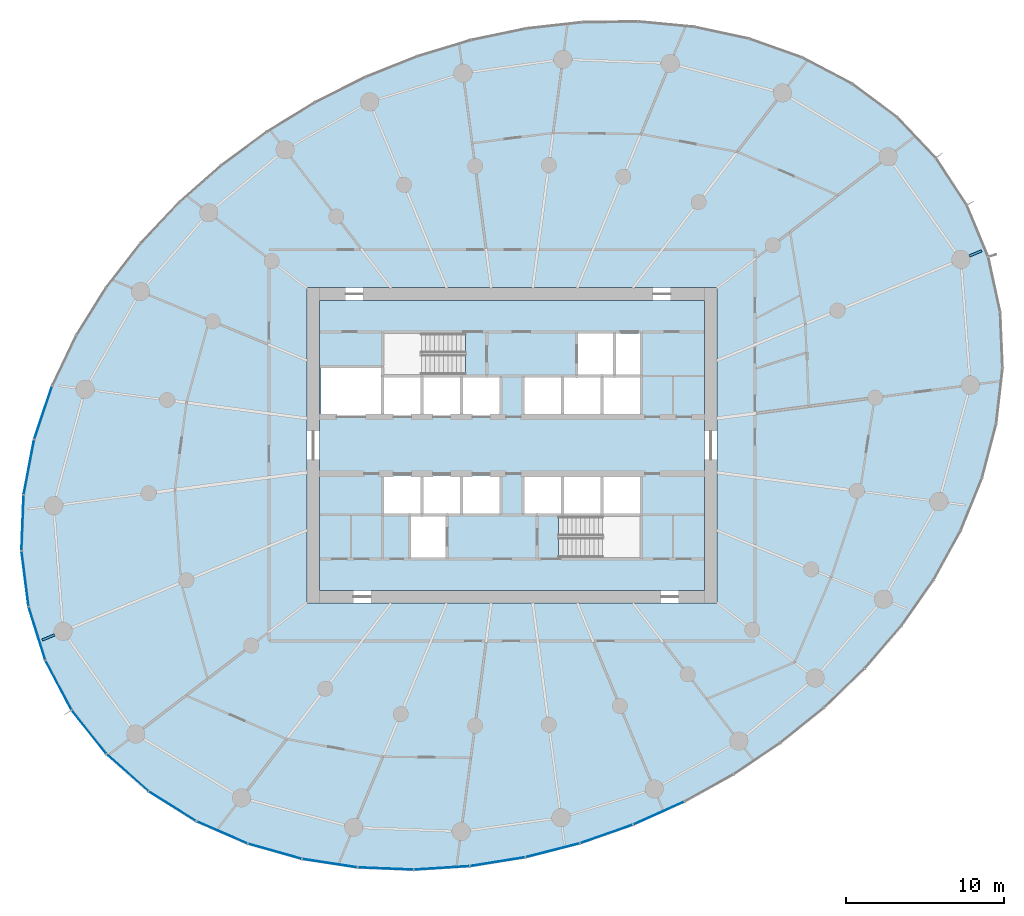
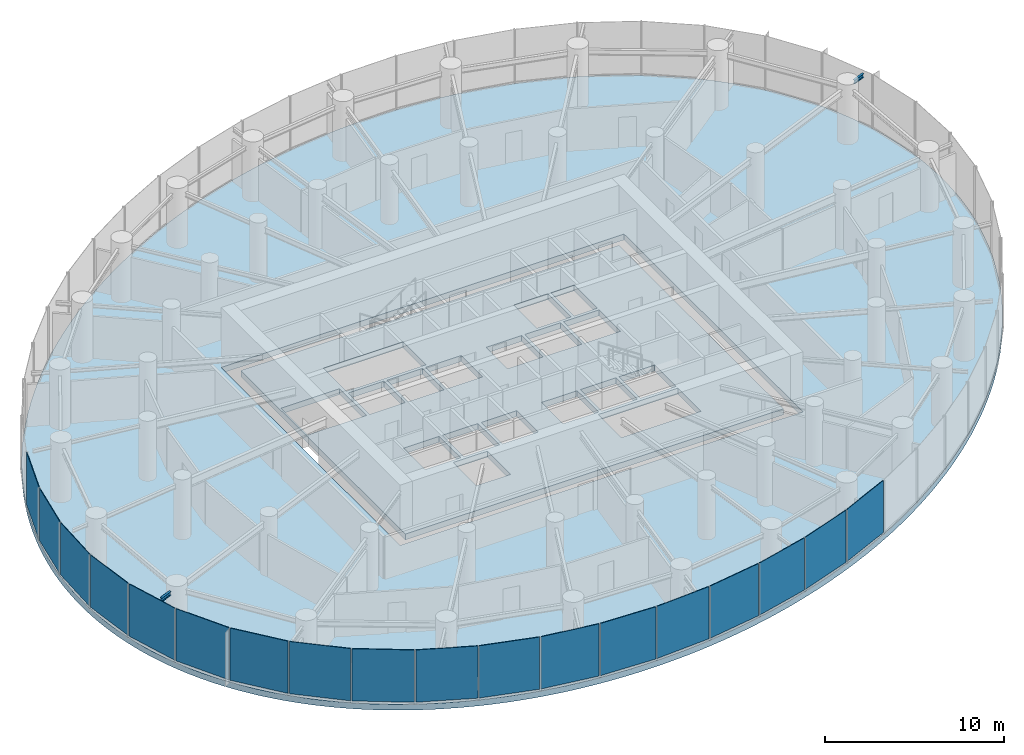
# One storey, part 8 of 17: 18 plates, 2 beams, 2 slabs, 4 elements without a shape of their own.
"""IFC4 building model written with IfcOpenShell, lengths in metres."""

from ifc_helpers import new_model, si_unit, direction, frame, origin, origin_2d, place, context, subcontext, project, spatial, line, indexed_curve, rectangle, i_section, outline, extrude, source, transform, mapped, material, layer, layer_set, material_profile, profile_set, type_object, element, aggregate, save


model = new_model("IFC4")

# Units and contexts
model_context = context("Model", 3, precision=1e-05, world=origin(), true_north=direction((0.0, 1.0)))
body_context = subcontext(model_context, "Body", "Model", "MODEL_VIEW")
ifc_project = project(units=[si_unit("LENGTHUNIT", "METRE"), si_unit("AREAUNIT", "SQUARE_METRE"), si_unit("VOLUMEUNIT", "CUBIC_METRE"), si_unit("PLANEANGLEUNIT", "RADIAN"), si_unit("MASSUNIT", "GRAM", prefix="KILO")], contexts=[model_context])

# Site, building, storey
site_placement = place(None, origin())
site = spatial("IfcSite", under=ifc_project, at=site_placement, CompositionType="ELEMENT")
building_placement = place(site_placement, origin())
building = spatial("IfcBuilding", under=site, at=building_placement, Name="Spindrift Exchange Tower", CompositionType="ELEMENT")
storey_placement = place(building_placement, frame((0.0, 0.0, 112.60009765625)))
storey = spatial("IfcBuildingStorey", under=building, at=storey_placement, Name="L26", CompositionType="ELEMENT", Elevation=112.60009765625)

# Beams
ifc_material_1 = material(Name="Steel Grade 300", Category="steel")
ifc_material_profile = material_profile(ifc_material_1, i_section(OverallWidth=0.14599609375, OverallDepth=0.251953125, WebThickness=0.006103515625, FlangeThickness=0.008544921875, FilletRadius=0.011962890625, at=origin_2d()), Name="250UB31.4")
ifc_profile_set = profile_set([ifc_material_profile], Name="Steel Grade 300")
beam_type = type_object("IfcBeamType", Name="Cantilever Beam 250UB31.4 Steel Grade 300", PredefinedType="BEAM", material=ifc_profile_set)
shared_shape_1 = source(origin(), body_context, "Body", "SweptSolid", [
    extrude(i_section(OverallWidth=0.14599609375, OverallDepth=0.251953125, WebThickness=0.006103515625, FlangeThickness=0.008544921875, FilletRadius=0.011962890625, at=origin_2d()), origin(), (0.0, 0.0, 1.0), 0.844482421875),
])
for number, where, z_axis, x_axis, name in (
    (1, (80.9912109375, 60.008544921875, 3.573974609375), (0.923861804277, 0.382726229306, 0.0), (-0.382726229306, 0.923861804277, 0.0), "L26 cantilever beam R02T"),
    (2, (23.0087890625, 35.991455078125, 3.573974609375), (-0.923861804277, -0.382726229306, 0.0), (0.382726229306, -0.923861804277, 0.0), "L26 cantilever beam R14T"),
):
    element("IfcBeam", number, at=place(storey_placement, frame(where, z_axis=z_axis, x_axis=x_axis)), inside=storey, type_object=beam_type, Name=name, PredefinedType="BEAM", context=body_context, shape_type="MappedRepresentation", body=[
        mapped(shared_shape_1, transform((0.0, 0.0, 0.0), scale=1.0)),
    ])

# Slabs
ifc_material_2 = material(Name="Concrete 50 MPa", Category="concrete")
ifc_layer_1 = layer(ifc_material_2, 0.39990234375)
ifc_layer_set_1 = layer_set([ifc_layer_1], Name="RC Floor Slab 400 Concrete 50 MPa")
slab_type_1 = type_object("IfcSlabType", Name="RC Floor Slab 400 Concrete 50 MPa", PredefinedType="FLOOR", material=ifc_layer_set_1)
slab_1_placement = place(storey_placement, frame((0.0, 0.0, -0.400146484375)))
element("IfcSlab", 3, at=slab_1_placement, inside=storey, type_object=slab_type_1, Name="Floor slab L26", PredefinedType="FLOOR", context=body_context, shape_type="SweptSolid", body=[
    extrude(outline(indexed_curve([(80.818359375, 63.23486328125), (80.576416015625, 63.6787109375), (80.32275390625, 64.11572265625), (80.057861328125, 64.546142578125), (79.78173828125, 64.969482421875), (79.49462890625, 65.385498046875), (79.197021484375, 65.7939453125), (78.888916015625, 66.194580078125), (78.570556640625, 66.587158203125), (78.2421875, 66.971435546875), (77.904296875, 67.347412109375), (77.55712890625, 67.714599609375), (77.200927734375, 68.0732421875), (76.8359375, 68.4228515625), (76.46240234375, 68.76318359375), (76.080810546875, 69.094482421875), (75.69140625, 69.416748046875), (75.294189453125, 69.7294921875), (74.889892578125, 70.032958984375), (74.478759765625, 70.326904296875), (74.06103515625, 70.611083984375), (73.636962890625, 70.885986328125), (73.206787109375, 71.1513671875), (72.770751953125, 71.406982421875), (72.329345703125, 71.6533203125), (71.8828125, 71.89013671875), (71.431396484375, 72.117431640625), (70.975341796875, 72.335205078125), (70.514892578125, 72.54345703125), (69.581787109375, 72.93212890625), (68.634033203125, 73.28369140625), (68.1552734375, 73.44580078125), (67.189208984375, 73.74267578125), (66.7021484375, 73.877685546875), (65.72119140625, 74.12158203125), (65.2275390625, 74.230712890625), (64.235107421875, 74.4228515625), (63.73681640625, 74.506103515625), (62.73583984375, 74.648193359375), (62.23388671875, 74.70703125), (61.2275390625, 74.800537109375), (60.218505859375, 74.86279296875), (59.71337890625, 74.882080078125), (59.208251953125, 74.89404296875), (58.197509765625, 74.89501953125), (57.692138671875, 74.884521484375), (56.68212890625, 74.841796875), (56.177734375, 74.809814453125), (55.17041015625, 74.724365234375), (54.66796875, 74.67138671875), (53.6650390625, 74.544677734375), (53.1650390625, 74.47119140625), (52.16796875, 74.3046875), (51.671142578125, 74.211669921875), (50.681396484375, 74.006103515625), (50.188720703125, 73.893798828125), (49.20751953125, 73.650634765625), (48.71923828125, 73.519775390625), (47.748046875, 73.23974609375), (46.783935546875, 72.935791015625), (46.3046875, 72.775146484375), (45.82763671875, 72.6083984375), (44.879638671875, 72.2578125), (44.40869140625, 72.07373046875), (43.47412109375, 71.68896484375), (42.548828125, 71.28173828125), (41.6337890625, 70.8525390625), (40.72900390625, 70.401611328125), (40.281005859375, 70.16796875), (39.392822265625, 69.684814453125), (38.5166015625, 69.180908203125), (37.65283203125, 68.656005859375), (37.2255859375, 68.3857421875), (36.38134765625, 67.830078125), (35.964111328125, 67.544677734375), (35.140380859375, 66.95849609375), (34.734130859375, 66.658203125), (34.331298828125, 66.352783203125), (33.537353515625, 65.727294921875), (33.14599609375, 65.4072265625), (32.3759765625, 64.752685546875), (31.622314453125, 64.078857421875), (31.252197265625, 63.734619140625), (30.52490234375, 63.03271484375), (30.168212890625, 62.674560546875), (29.81640625, 62.311767578125), (29.126953125, 61.572509765625), (28.45751953125, 60.815185546875), (28.130615234375, 60.4296875), (27.492919921875, 59.6455078125), (27.182373046875, 59.24658203125), (26.877197265625, 58.843505859375), (26.284912109375, 58.0244140625), (25.716552734375, 57.188720703125), (25.44189453125, 56.764404296875), (24.91162109375, 55.90380859375), (24.65673828125, 55.46728515625), (24.167236328125, 54.5830078125), (23.93310546875, 54.135009765625), (23.48681640625, 53.22802734375), (23.275146484375, 52.76904296875), (23.071044921875, 52.306640625), (22.68701171875, 51.37158203125), (22.336181640625, 50.423583984375), (22.173583984375, 49.945068359375), (21.875, 48.9794921875), (21.7392578125, 48.49267578125), (21.49609375, 47.511474609375), (21.388916015625, 47.017578125), (21.291748046875, 46.521484375), (21.20458984375, 46.023681640625), (21.127685546875, 45.524169921875), (21.061279296875, 45.023193359375), (21.00537109375, 44.520751953125), (20.96044921875, 44.017333984375), (20.92626953125, 43.51318359375), (20.9033203125, 43.00830078125), (20.8916015625, 42.5029296875), (20.891357421875, 41.99755859375), (20.902587890625, 41.4921875), (20.925537109375, 40.9873046875), (20.96044921875, 40.483154296875), (21.00732421875, 39.97998046875), (21.066162109375, 39.477783203125), (21.13720703125, 38.9775390625), (21.220703125, 38.47900390625), (21.316162109375, 37.982666015625), (21.42431640625, 37.489013671875), (21.54443359375, 36.998046875), (21.67724609375, 36.510498046875), (21.822509765625, 36.0263671875), (21.97998046875, 35.546142578125), (22.14990234375, 35.070068359375), (22.33203125, 34.5986328125), (22.5263671875, 34.132080078125), (22.73291015625, 33.670654296875), (22.951416015625, 33.215087890625), (23.181640625, 32.76513671875), (23.423583984375, 32.3212890625), (23.67724609375, 31.88427734375), (23.942138671875, 31.453857421875), (24.21826171875, 31.030517578125), (24.50537109375, 30.614501953125), (24.802978515625, 30.2060546875), (25.111083984375, 29.805419921875), (25.429443359375, 29.412841796875), (25.7578125, 29.028564453125), (26.095703125, 28.652587890625), (26.44287109375, 28.285400390625), (26.799072265625, 27.9267578125), (27.1640625, 27.5771484375), (27.53759765625, 27.23681640625), (27.919189453125, 26.905517578125), (28.30859375, 26.583251953125), (28.705810546875, 26.2705078125), (29.110107421875, 25.967041015625), (29.521240234375, 25.673095703125), (29.93896484375, 25.388916015625), (30.363037109375, 25.114013671875), (30.793212890625, 24.8486328125), (31.229248046875, 24.593017578125), (31.670654296875, 24.3466796875), (32.1171875, 24.10986328125), (32.568603515625, 23.882568359375), (33.024658203125, 23.664794921875), (33.485107421875, 23.45654296875), (34.418212890625, 23.06787109375), (35.365966796875, 22.71630859375), (35.8447265625, 22.55419921875), (36.810791015625, 22.25732421875), (37.2978515625, 22.122314453125), (38.27880859375, 21.87841796875), (38.7724609375, 21.769287109375), (39.764892578125, 21.5771484375), (40.26318359375, 21.493896484375), (41.26416015625, 21.351806640625), (41.76611328125, 21.29296875), (42.7724609375, 21.199462890625), (43.781494140625, 21.13720703125), (44.28662109375, 21.117919921875), (44.791748046875, 21.10595703125), (45.802490234375, 21.10498046875), (46.307861328125, 21.115478515625), (47.31787109375, 21.158203125), (47.822265625, 21.190185546875), (48.82958984375, 21.275634765625), (49.33203125, 21.32861328125), (50.3349609375, 21.455322265625), (50.8349609375, 21.52880859375), (51.83203125, 21.6953125), (52.328857421875, 21.788330078125), (53.318603515625, 21.993896484375), (53.811279296875, 22.106201171875), (54.79248046875, 22.349365234375), (55.28076171875, 22.480224609375), (56.251953125, 22.76025390625), (57.216064453125, 23.064208984375), (57.6953125, 23.224853515625), (58.17236328125, 23.3916015625), (59.120361328125, 23.7421875), (59.59130859375, 23.92626953125), (60.52587890625, 24.31103515625), (61.451171875, 24.71826171875), (62.3662109375, 25.1474609375), (63.27099609375, 25.598388671875), (63.718994140625, 25.83203125), (64.607177734375, 26.315185546875), (65.4833984375, 26.819091796875), (66.34716796875, 27.343994140625), (66.7744140625, 27.6142578125), (67.61865234375, 28.169921875), (68.035888671875, 28.455322265625), (68.859619140625, 29.04150390625), (69.265869140625, 29.341796875), (69.668701171875, 29.647216796875), (70.462646484375, 30.272705078125), (70.85400390625, 30.5927734375), (71.6240234375, 31.247314453125), (72.377685546875, 31.921142578125), (72.747802734375, 32.265380859375), (73.47509765625, 32.96728515625), (73.831787109375, 33.325439453125), (74.18359375, 33.688232421875), (74.873046875, 34.427490234375), (75.54248046875, 35.184814453125), (75.869384765625, 35.5703125), (76.507080078125, 36.3544921875), (76.817626953125, 36.75341796875), (77.122802734375, 37.156494140625), (77.715087890625, 37.9755859375), (78.283447265625, 38.811279296875), (78.55810546875, 39.235595703125), (79.08837890625, 40.09619140625), (79.34326171875, 40.53271484375), (79.832763671875, 41.4169921875), (80.06689453125, 41.864990234375), (80.51318359375, 42.77197265625), (80.724853515625, 43.23095703125), (80.928955078125, 43.693359375), (81.31298828125, 44.62841796875), (81.663818359375, 45.576416015625), (81.826416015625, 46.054931640625), (82.125, 47.0205078125), (82.2607421875, 47.50732421875), (82.50390625, 48.488525390625), (82.611083984375, 48.982421875), (82.708251953125, 49.478515625), (82.79541015625, 49.976318359375), (82.872314453125, 50.475830078125), (82.938720703125, 50.976806640625), (82.99462890625, 51.479248046875), (83.03955078125, 51.982666015625), (83.07373046875, 52.48681640625), (83.0966796875, 52.99169921875), (83.1083984375, 53.4970703125), (83.108642578125, 54.00244140625), (83.097412109375, 54.5078125), (83.074462890625, 55.0126953125), (83.03955078125, 55.516845703125), (82.99267578125, 56.02001953125), (82.933837890625, 56.522216796875), (82.86279296875, 57.0224609375), (82.779296875, 57.52099609375), (82.683837890625, 58.017333984375), (82.57568359375, 58.510986328125), (82.45556640625, 59.001953125), (82.32275390625, 59.489501953125), (82.177490234375, 59.9736328125), (82.02001953125, 60.453857421875), (81.85009765625, 60.929931640625), (81.66796875, 61.4013671875), (81.4736328125, 61.867919921875), (81.26708984375, 62.329345703125), (81.048583984375, 62.784912109375)], segments=[line(1, 2, 3, 4, 5, 6, 7, 8, 9, 10, 11, 12, 13, 14, 15, 16, 17, 18, 19, 20, 21, 22, 23, 24, 25, 26, 27, 28, 29, 30, 31, 32, 33, 34, 35, 36, 37, 38, 39, 40, 41, 42, 43, 44, 45, 46, 47, 48, 49, 50, 51, 52, 53, 54, 55, 56, 57, 58, 59, 60, 61, 62, 63, 64, 65, 66, 67, 68, 69, 70, 71, 72, 73, 74, 75, 76, 77, 78, 79, 80, 81, 82, 83, 84, 85, 86, 87, 88, 89, 90, 91, 92, 93, 94, 95, 96, 97, 98, 99, 100, 101, 102, 103, 104, 105, 106, 107, 108, 109, 110, 111, 112, 113, 114, 115, 116, 117, 118, 119, 120, 121, 122, 123, 124, 125, 126, 127, 128, 129, 130, 131, 132, 133, 134, 135, 136, 137, 138, 139, 140, 141, 142, 143, 144, 145, 146, 147, 148, 149, 150, 151, 152, 153, 154, 155, 156, 157, 158, 159, 160, 161, 162, 163, 164, 165, 166, 167, 168, 169, 170, 171, 172, 173, 174, 175, 176, 177, 178, 179, 180, 181, 182, 183, 184, 185, 186, 187, 188, 189, 190, 191, 192, 193, 194, 195, 196, 197, 198, 199, 200, 201, 202, 203, 204, 205, 206, 207, 208, 209, 210, 211, 212, 213, 214, 215, 216, 217, 218, 219, 220, 221, 222, 223, 224, 225, 226, 227, 228, 229, 230, 231, 232, 233, 234, 235, 236, 237, 238, 239, 240, 241, 242, 243, 244, 245, 246, 247, 248, 249, 250, 251, 252, 253, 254, 255, 256, 257, 258, 259, 260, 261, 262, 263, 264, 265, 266, 267, 268, 269, 270, 271, 272, 273, 274, 1)], self_intersect=False), holes=[indexed_curve([(39.0, 38.0), (65.0, 38.0), (65.0, 58.0), (39.0, 58.0)], segments=[line(1, 2, 3, 4, 1)], self_intersect=False)]), origin(), (0.0, 0.0, 1.0), 0.400146484375),
])
ifc_layer_2 = layer(ifc_material_2, 0.39990234375)
ifc_layer_set_2 = layer_set([ifc_layer_2], Name="SL-CORE-FLOOR-400")
slab_type_2 = type_object("IfcSlabType", Name="SL-CORE-FLOOR-400", PredefinedType="FLOOR", material=ifc_layer_set_2)
slab_2_placement = place(storey_placement, frame((0.0, 0.0, -0.400146484375)))
element("IfcSlab", 4, at=slab_2_placement, inside=storey, type_object=slab_type_2, Name="L26 Core floor slab", PredefinedType="FLOOR", context=body_context, shape_type="SweptSolid", body=[
    extrude(outline(indexed_curve([(39.800048828125, 38.800048828125), (39.800048828125, 57.199951171875), (64.199951171875, 57.199951171875), (64.199951171875, 38.800048828125)], segments=[line(1, 2, 3, 4, 1)], self_intersect=False), holes=[indexed_curve([(47.800048828125, 43.5), (45.60009765625, 43.5), (45.60009765625, 40.89990234375), (47.800048828125, 40.89990234375)], segments=[line(1, 2, 3, 4, 1)], self_intersect=False), indexed_curve([(46.199951171875, 46.10009765625), (43.89990234375, 46.10009765625), (43.89990234375, 43.699951171875), (46.199951171875, 43.699951171875)], segments=[line(1, 2, 3, 4, 1)], self_intersect=False), indexed_curve([(48.699951171875, 46.10009765625), (46.39990234375, 46.10009765625), (46.39990234375, 43.699951171875), (48.699951171875, 43.699951171875)], segments=[line(1, 2, 3, 4, 1)], self_intersect=False), indexed_curve([(51.199951171875, 46.10009765625), (48.89990234375, 46.10009765625), (48.89990234375, 43.699951171875), (51.199951171875, 43.699951171875)], segments=[line(1, 2, 3, 4, 1)], self_intersect=False), indexed_curve([(46.199951171875, 52.300048828125), (43.89990234375, 52.300048828125), (43.89990234375, 49.89990234375), (46.199951171875, 49.89990234375)], segments=[line(1, 2, 3, 4, 1)], self_intersect=False), indexed_curve([(48.699951171875, 52.300048828125), (46.39990234375, 52.300048828125), (46.39990234375, 49.89990234375), (48.699951171875, 49.89990234375)], segments=[line(1, 2, 3, 4, 1)], self_intersect=False), indexed_curve([(51.199951171875, 52.300048828125), (48.89990234375, 52.300048828125), (48.89990234375, 49.89990234375), (51.199951171875, 49.89990234375)], segments=[line(1, 2, 3, 4, 1)], self_intersect=False), indexed_curve([(43.699951171875, 49.89990234375), (43.699951171875, 52.89990234375), (39.89990234375, 52.89990234375), (39.89990234375, 49.89990234375)], segments=[line(1, 2, 3, 4, 1)], self_intersect=False), indexed_curve([(49.0439453125, 55.093994140625), (43.906005859375, 55.093994140625), (43.906005859375, 52.506103515625), (49.0439453125, 52.506103515625)], segments=[line(1, 2, 3, 4, 1)], self_intersect=False), indexed_curve([(60.093994140625, 40.906005859375), (60.093994140625, 43.493896484375), (54.9560546875, 43.493896484375), (54.9560546875, 40.906005859375)], segments=[line(1, 2, 3, 4, 1)], self_intersect=False), indexed_curve([(55.10009765625, 46.10009765625), (52.800048828125, 46.10009765625), (52.800048828125, 43.699951171875), (55.10009765625, 43.699951171875)], segments=[line(1, 2, 3, 4, 1)], self_intersect=False), indexed_curve([(57.60009765625, 46.10009765625), (55.300048828125, 46.10009765625), (55.300048828125, 43.699951171875), (57.60009765625, 43.699951171875)], segments=[line(1, 2, 3, 4, 1)], self_intersect=False), indexed_curve([(60.10009765625, 46.10009765625), (57.800048828125, 46.10009765625), (57.800048828125, 43.699951171875), (60.10009765625, 43.699951171875)], segments=[line(1, 2, 3, 4, 1)], self_intersect=False), indexed_curve([(55.10009765625, 52.300048828125), (52.800048828125, 52.300048828125), (52.800048828125, 49.89990234375), (55.10009765625, 49.89990234375)], segments=[line(1, 2, 3, 4, 1)], self_intersect=False), indexed_curve([(57.60009765625, 52.300048828125), (55.300048828125, 52.300048828125), (55.300048828125, 49.89990234375), (57.60009765625, 49.89990234375)], segments=[line(1, 2, 3, 4, 1)], self_intersect=False), indexed_curve([(60.10009765625, 52.300048828125), (57.800048828125, 52.300048828125), (57.800048828125, 49.89990234375), (60.10009765625, 49.89990234375)], segments=[line(1, 2, 3, 4, 1)], self_intersect=False), indexed_curve([(58.39990234375, 52.5), (58.39990234375, 55.10009765625), (56.199951171875, 55.10009765625), (56.199951171875, 52.5)], segments=[line(1, 2, 3, 4, 1)], self_intersect=False), indexed_curve([(60.10009765625, 52.5), (60.10009765625, 55.10009765625), (58.60009765625, 55.10009765625), (58.60009765625, 52.5)], segments=[line(1, 2, 3, 4, 1)], self_intersect=False)]), origin(), (0.0, 0.0, 1.0), 0.400146484375),
])

# Curtain wall, plate
ifc_material_3 = material(Name="Fritted laminated glass with bronze frame", Category="glass")
ifc_layer_3 = layer(ifc_material_3, 0.18994140625)
ifc_layer_set_3 = layer_set([ifc_layer_3], Name="ZONE 2 BRONZE FRITTED WALL")
curtain_wall_type = type_object("IfcCurtainWallType", Name="ZONE 2 BRONZE FRITTED WALL", PredefinedType="NOTDEFINED", material=ifc_layer_set_3)
curtain_wall_1_placement = place(storey_placement, origin())
curtain_wall_1 = element("IfcCurtainWall", 5, at=curtain_wall_1_placement, inside=storey, type_object=curtain_wall_type, Name="L26 Zone 2 Bronze Fritted Wall run 6", PredefinedType="NOTDEFINED")
ifc_material_4 = material(Name="Bronze fritted laminated glass, close frit", Category="glass")
ifc_layer_4 = layer(ifc_material_4, 0.033935546875)
ifc_layer_set_4 = layer_set([ifc_layer_4], Name="ZONE 2 BRONZE FRITTED WALL PANEL CLOSE FRIT 420")
plate_type_1 = type_object("IfcPlateType", Name="ZONE 2 BRONZE FRITTED WALL PANEL CLOSE FRIT 420", PredefinedType="CURTAIN_PANEL", material=ifc_layer_set_4)
shared_shape_2 = source(origin(), body_context, "Body", "SweptSolid", [
    extrude(rectangle(XDim=3.491455078125, YDim=0.033935546875, at=origin_2d()), origin(), (0.0, 0.0, 1.0), 3.56005859375),
])
plate_1_placement = place(storey_placement, frame((51.0927734375, 21.611328125, 0.139892578125), z_axis=(0.0, 0.0, 1.0), x_axis=(0.987358539015, 0.158502730052, 0.0)))
plate_1 = element("IfcPlate", 6, at=plate_1_placement, type_object=plate_type_1, Name="L26 panel CW-2.35", PredefinedType="CURTAIN_PANEL", context=body_context, shape_type="MappedRepresentation", body=[
    mapped(shared_shape_2, transform((0.0, 0.0, 0.0), scale=1.0)),
])

# Curtain wall, plates
curtain_wall_2_placement = place(storey_placement, origin())
curtain_wall_2 = element("IfcCurtainWall", 7, at=curtain_wall_2_placement, inside=storey, type_object=curtain_wall_type, Name="L26 Zone 2 Bronze Fritted Wall run 7", PredefinedType="NOTDEFINED")
ifc_layer_5 = layer(ifc_material_4, 0.033935546875)
ifc_layer_set_5 = layer_set([ifc_layer_5], Name="ZONE 2 BRONZE FRITTED WALL PANEL CLOSE FRIT 300")
plate_type_2 = type_object("IfcPlateType", Name="ZONE 2 BRONZE FRITTED WALL PANEL CLOSE FRIT 300", PredefinedType="CURTAIN_PANEL", material=ifc_layer_set_5)
shared_shape_3 = source(origin(), body_context, "Body", "SweptSolid", [
    extrude(rectangle(XDim=3.49169921875, YDim=0.033935546875, at=origin_2d()), origin(), (0.0, 0.0, 1.0), 3.56005859375),
])
plate_2_placement = place(storey_placement, frame((57.991455078125, 23.368408203125, 0.139892578125), z_axis=(0.0, 0.0, 1.0), x_axis=(0.943498284151, 0.331377409917, 0.0)))
plate_2 = element("IfcPlate", 8, at=plate_2_placement, type_object=plate_type_2, Name="L26 panel CW-2.37", PredefinedType="CURTAIN_PANEL", context=body_context, shape_type="MappedRepresentation", body=[
    mapped(shared_shape_3, transform((0.0, 0.0, 0.0), scale=1.0)),
])
ifc_layer_6 = layer(ifc_material_4, 0.033935546875)
ifc_layer_set_6 = layer_set([ifc_layer_6], Name="ZONE 2 BRONZE FRITTED WALL PANEL CLOSE FRIT 540")
plate_type_3 = type_object("IfcPlateType", Name="ZONE 2 BRONZE FRITTED WALL PANEL CLOSE FRIT 540", PredefinedType="CURTAIN_PANEL", material=ifc_layer_set_6)
shared_shape_4 = source(origin(), body_context, "Body", "SweptSolid", [
    extrude(rectangle(XDim=3.49169921875, YDim=0.033935546875, at=origin_2d()), origin(), (0.0, 0.0, 1.0), 3.56005859375),
])
plate_3_placement = place(storey_placement, frame((61.30029296875, 24.69140625, 0.139892578125), z_axis=(0.0, 0.0, 1.0), x_axis=(0.911851626832, 0.41051992722, 0.0)))
plate_3 = element("IfcPlate", 9, at=plate_3_placement, type_object=plate_type_3, Name="L26 panel CW-2.38", PredefinedType="CURTAIN_PANEL", context=body_context, shape_type="MappedRepresentation", body=[
    mapped(shared_shape_4, transform((0.0, 0.0, 0.0), scale=1.0)),
])
aggregate(curtain_wall_2, [plate_2, plate_3])

# Plate
shared_shape_5 = source(origin(), body_context, "Body", "SweptSolid", [
    extrude(rectangle(XDim=3.4912109375, YDim=0.033935546875, at=origin_2d()), origin(), (0.0, 0.0, 1.0), 3.56005859375),
])
plate_4_placement = place(storey_placement, frame((43.9912109375, 21.176025390625, 0.139892578125), z_axis=(0.0, 0.0, 1.0), x_axis=(0.999193414211, -0.040156207445, 0.0)))
plate_4 = element("IfcPlate", 10, at=plate_4_placement, type_object=plate_type_2, Name="L26 panel CW-2.33", PredefinedType="CURTAIN_PANEL", context=body_context, shape_type="MappedRepresentation", body=[
    mapped(shared_shape_5, transform((0.0, 0.0, 0.0), scale=1.0)),
])

plate_5_placement = place(storey_placement, frame((47.552490234375, 21.216552734375, 0.139892578125), z_axis=(0.0, 0.0, 1.0), x_axis=(0.99802190352, 0.062867162295, 0.0)))
plate_5 = element("IfcPlate", 11, at=plate_5_placement, type_object=plate_type_2, Name="L26 panel CW-2.34", PredefinedType="CURTAIN_PANEL", context=body_context, shape_type="MappedRepresentation", body=[
    mapped(shared_shape_5, transform((0.0, 0.0, 0.0), scale=1.0)),
])

shared_shape_6 = source(origin(), body_context, "Body", "SweptSolid", [
    extrude(rectangle(XDim=3.49072265625, YDim=0.033935546875, at=origin_2d()), origin(), (0.0, 0.0, 1.0), 3.56005859375),
])
plate_6_placement = place(storey_placement, frame((40.447509765625, 21.517822265625, 0.139892578125), z_axis=(0.0, 0.0, 1.0), x_axis=(0.988452930648, -0.15152822804, 0.0)))
plate_6 = element("IfcPlate", 12, at=plate_6_placement, type_object=plate_type_1, Name="L26 panel CW-2.32", PredefinedType="CURTAIN_PANEL", context=body_context, shape_type="MappedRepresentation", body=[
    mapped(shared_shape_6, transform((0.0, 0.0, 0.0), scale=1.0)),
])

shared_shape_7 = source(origin(), body_context, "Body", "SweptSolid", [
    extrude(rectangle(XDim=3.490234375, YDim=0.033935546875, at=origin_2d()), origin(), (0.0, 0.0, 1.0), 3.56005859375),
])
plate_7_placement = place(storey_placement, frame((36.969482421875, 22.27197265625, 0.139892578125), z_axis=(0.0, 0.0, 1.0), x_axis=(0.962451920111, -0.271452208454, 0.0)))
plate_7 = element("IfcPlate", 13, at=plate_7_placement, type_object=plate_type_2, Name="L26 panel CW-2.31", PredefinedType="CURTAIN_PANEL", context=body_context, shape_type="MappedRepresentation", body=[
    mapped(shared_shape_7, transform((0.0, 0.0, 0.0), scale=1.0)),
])

# Curtain wall, plate
curtain_wall_3_placement = place(storey_placement, origin())
curtain_wall_3 = element("IfcCurtainWall", 14, at=curtain_wall_3_placement, inside=storey, type_object=curtain_wall_type, Name="L26 Zone 2 Bronze Fritted Wall run 5", PredefinedType="NOTDEFINED")
shared_shape_8 = source(origin(), body_context, "Body", "SweptSolid", [
    extrude(rectangle(XDim=3.48974609375, YDim=0.033935546875, at=origin_2d()), origin(), (0.0, 0.0, 1.0), 3.56005859375),
])
plate_8_placement = place(storey_placement, frame((33.619384765625, 23.46728515625, 0.139892578125), z_axis=(0.0, 0.0, 1.0), x_axis=(0.916904808433, -0.39910596622, 0.0)))
plate_8 = element("IfcPlate", 15, at=plate_8_placement, type_object=plate_type_1, Name="L26 panel CW-2.30", PredefinedType="CURTAIN_PANEL", context=body_context, shape_type="MappedRepresentation", body=[
    mapped(shared_shape_8, transform((0.0, 0.0, 0.0), scale=1.0)),
])

curtain_wall_4_placement = place(storey_placement, origin())
curtain_wall_4 = element("IfcCurtainWall", 16, at=curtain_wall_4_placement, inside=storey, type_object=curtain_wall_type, Name="L26 Zone 2 Bronze Fritted Wall run 4", PredefinedType="NOTDEFINED")
shared_shape_9 = source(origin(), body_context, "Body", "SweptSolid", [
    extrude(rectangle(XDim=3.489013671875, YDim=0.033935546875, at=origin_2d()), origin(), (0.0, 0.0, 1.0), 3.56005859375),
])
plate_9_placement = place(storey_placement, frame((20.9765625, 43.0947265625, 0.139892578125), z_axis=(0.0, 0.0, 1.0), x_axis=(-0.037681462223, -0.999289801511, 0.0)))
plate_9 = element("IfcPlate", 17, at=plate_9_placement, type_object=plate_type_2, Name="L26 panel CW-2.23", PredefinedType="CURTAIN_PANEL", context=body_context, shape_type="MappedRepresentation", body=[
    mapped(shared_shape_9, transform((0.0, 0.0, 0.0), scale=1.0)),
])

# Plate
plate_10_placement = place(storey_placement, frame((30.475830078125, 25.125732421875, 0.139892578125), z_axis=(0.0, 0.0, 1.0), x_axis=(0.847006895824, -0.531581901899, 0.0)))
plate_10 = element("IfcPlate", 18, at=plate_10_placement, type_object=plate_type_2, Name="L26 panel CW-2.29", PredefinedType="CURTAIN_PANEL", context=body_context, shape_type="MappedRepresentation", body=[
    mapped(shared_shape_9, transform((0.0, 0.0, 0.0), scale=1.0)),
])

shared_shape_10 = source(origin(), body_context, "Body", "SweptSolid", [
    extrude(rectangle(XDim=3.48828125, YDim=0.033935546875, at=origin_2d()), origin(), (0.0, 0.0, 1.0), 3.56005859375),
])
plate_11_placement = place(storey_placement, frame((27.632568359375, 27.25439453125, 0.139892578125), z_axis=(0.0, 0.0, 1.0), x_axis=(0.748659584561, -0.662954618692, 0.0)))
plate_11 = element("IfcPlate", 19, at=plate_11_placement, type_object=plate_type_2, Name="L26 panel CW-2.28", PredefinedType="CURTAIN_PANEL", context=body_context, shape_type="MappedRepresentation", body=[
    mapped(shared_shape_10, transform((0.0, 0.0, 0.0), scale=1.0)),
])

shared_shape_11 = source(origin(), body_context, "Body", "SweptSolid", [
    extrude(rectangle(XDim=3.48779296875, YDim=0.033935546875, at=origin_2d()), origin(), (0.0, 0.0, 1.0), 3.56005859375),
])
plate_12_placement = place(storey_placement, frame((21.890625, 36.07861328125, 0.139892578125), z_axis=(0.0, 0.0, 1.0), x_axis=(0.298296239115, -0.954473338407, 0.0)))
plate_12 = element("IfcPlate", 20, at=plate_12_placement, type_object=plate_type_2, Name="L26 panel CW-2.25", PredefinedType="CURTAIN_PANEL", context=body_context, shape_type="MappedRepresentation", body=[
    mapped(shared_shape_11, transform((0.0, 0.0, 0.0), scale=1.0)),
])

plate_13_placement = place(storey_placement, frame((25.19287109375, 29.83203125, 0.139892578125), z_axis=(0.0, 0.0, 1.0), x_axis=(0.620760616243, -0.784000164108, 0.0)))
plate_13 = element("IfcPlate", 21, at=plate_13_placement, type_object=plate_type_2, Name="L26 panel CW-2.27", PredefinedType="CURTAIN_PANEL", context=body_context, shape_type="MappedRepresentation", body=[
    mapped(shared_shape_11, transform((0.0, 0.0, 0.0), scale=1.0)),
])

shared_shape_12 = source(origin(), body_context, "Body", "SweptSolid", [
    extrude(rectangle(XDim=3.491455078125, YDim=0.033935546875, at=origin_2d()), origin(), (0.0, 0.0, 1.0), 3.56005859375),
])
plate_14_placement = place(storey_placement, frame((54.581298828125, 22.335693359375, 0.139892578125), z_axis=(0.0, 0.0, 1.0), x_axis=(0.96883916684, 0.247690671597, 0.0)))
plate_14 = element("IfcPlate", 22, at=plate_14_placement, type_object=plate_type_3, Name="L26 panel CW-2.36", PredefinedType="CURTAIN_PANEL", context=body_context, shape_type="MappedRepresentation", body=[
    mapped(shared_shape_12, transform((0.0, 0.0, 0.0), scale=1.0)),
])

aggregate(curtain_wall_1, [plate_7, plate_6, plate_4, plate_5, plate_1, plate_14])

shared_shape_13 = source(origin(), body_context, "Body", "SweptSolid", [
    extrude(rectangle(XDim=3.490234375, YDim=0.033935546875, at=origin_2d()), origin(), (0.0, 0.0, 1.0), 3.56005859375),
])
plate_15_placement = place(storey_placement, frame((22.27490234375, 50.068115234375, 0.139892578125), z_axis=(0.0, 0.0, 1.0), x_axis=(-0.317675382838, -0.94819953129, 0.0)))
plate_15 = element("IfcPlate", 23, at=plate_15_placement, type_object=plate_type_3, Name="L26 panel CW-2.21", PredefinedType="CURTAIN_PANEL", context=body_context, shape_type="MappedRepresentation", body=[
    mapped(shared_shape_13, transform((0.0, 0.0, 0.0), scale=1.0)),
])

shared_shape_14 = source(origin(), body_context, "Body", "SweptSolid", [
    extrude(rectangle(XDim=3.48974609375, YDim=0.033935546875, at=origin_2d()), origin(), (0.0, 0.0, 1.0), 3.56005859375),
])
plate_16_placement = place(storey_placement, frame((21.376220703125, 46.626708984375, 0.139892578125), z_axis=(0.0, 0.0, 1.0), x_axis=(-0.186548041745, -0.98244583979, 0.0)))
plate_16 = element("IfcPlate", 24, at=plate_16_placement, type_object=plate_type_2, Name="L26 panel CW-2.22", PredefinedType="CURTAIN_PANEL", context=body_context, shape_type="MappedRepresentation", body=[
    mapped(shared_shape_14, transform((0.0, 0.0, 0.0), scale=1.0)),
])

shared_shape_15 = source(origin(), body_context, "Body", "SweptSolid", [
    extrude(rectangle(XDim=3.487548828125, YDim=0.033935546875, at=origin_2d()), origin(), (0.0, 0.0, 1.0), 3.56005859375),
])
plate_17_placement = place(storey_placement, frame((23.25439453125, 32.8037109375, 0.139892578125), z_axis=(0.0, 0.0, 1.0), x_axis=(0.467354376816, -0.884070068756, 0.0)))
plate_17 = element("IfcPlate", 25, at=plate_17_placement, type_object=plate_type_2, Name="L26 panel CW-2.26", PredefinedType="CURTAIN_PANEL", context=body_context, shape_type="MappedRepresentation", body=[
    mapped(shared_shape_15, transform((0.0, 0.0, 0.0), scale=1.0)),
])

aggregate(curtain_wall_3, [plate_12, plate_17, plate_13, plate_11, plate_10, plate_8])

shared_shape_16 = source(origin(), body_context, "Body", "SweptSolid", [
    extrude(rectangle(XDim=3.48828125, YDim=0.033935546875, at=origin_2d()), origin(), (0.0, 0.0, 1.0), 3.56005859375),
])
plate_18_placement = place(storey_placement, frame((21.13427734375, 39.54638671875, 0.139892578125), z_axis=(0.0, 0.0, 1.0), x_axis=(0.12622840246, -0.992001204844, 0.0)))
plate_18 = element("IfcPlate", 26, at=plate_18_placement, type_object=plate_type_3, Name="L26 panel CW-2.24", PredefinedType="CURTAIN_PANEL", context=body_context, shape_type="MappedRepresentation", body=[
    mapped(shared_shape_16, transform((0.0, 0.0, 0.0), scale=1.0)),
])

aggregate(curtain_wall_4, [plate_15, plate_16, plate_9, plate_18])

save(model, "model.ifc")
